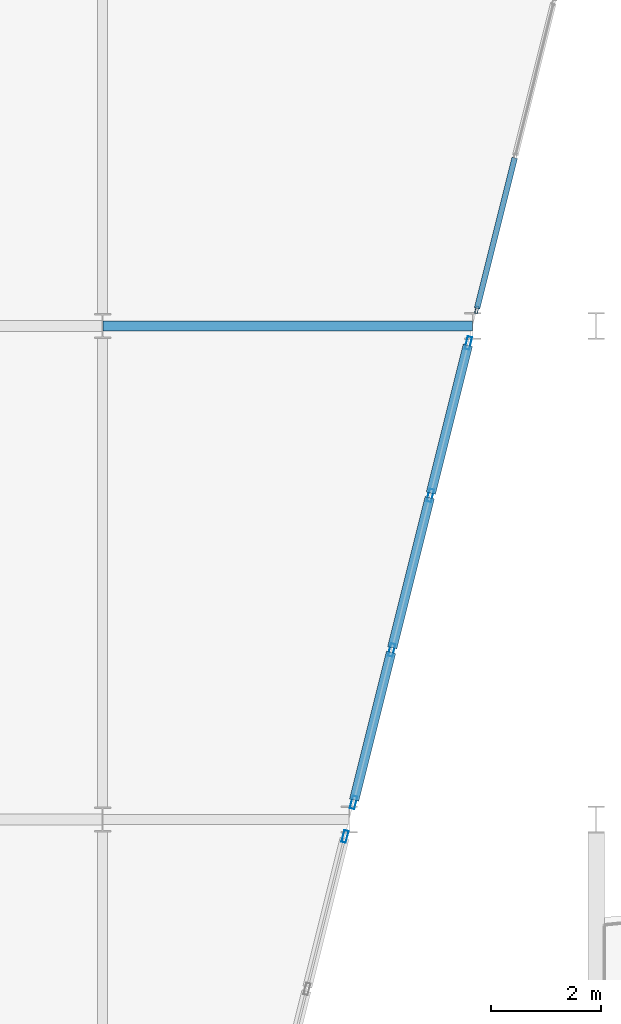
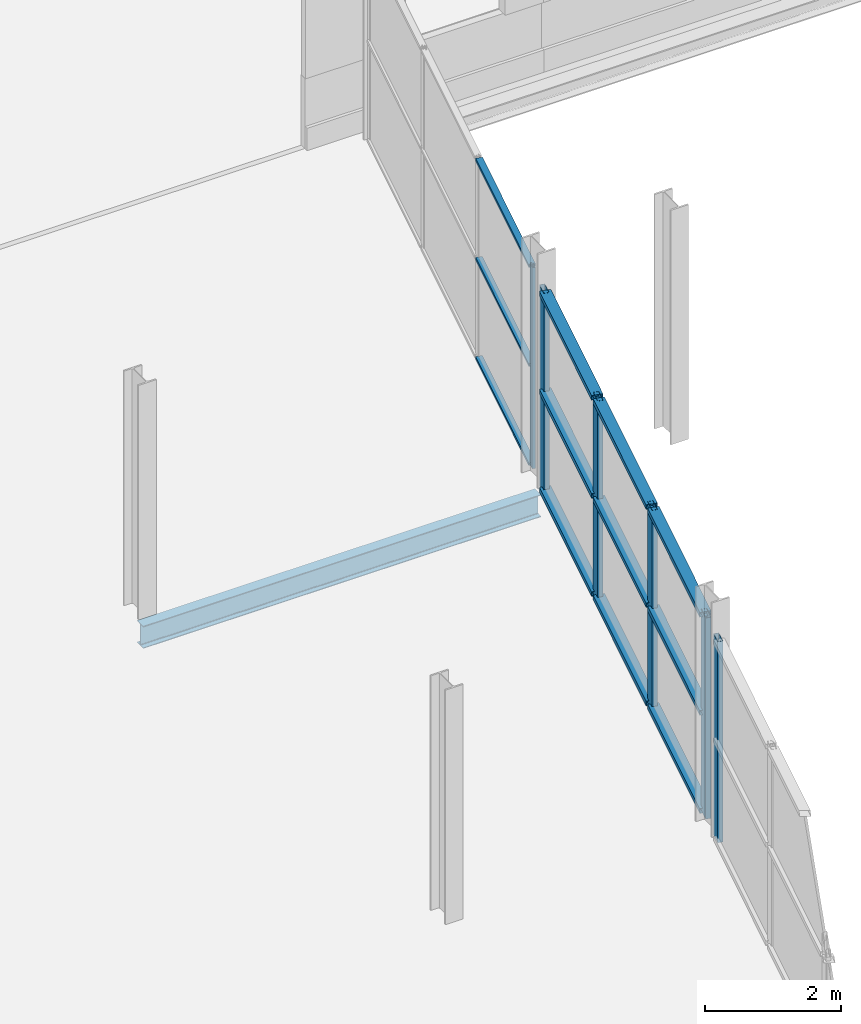
# One storey, part 66 of 135: 18 members, 1 beam, 3 elements without a shape of their own.
"""IFC4 building model written with IfcOpenShell, lengths in metres."""

from ifc_helpers import new_model, si_unit, direction, frame, origin, origin_2d, place, context, subcontext, project, spatial, hollow_rectangle, i_section, extrude, material, layer, layer_set, material_profile, profile_set, type_object, element, aggregate, save


model = new_model("IFC4")

# Units and contexts
model_context = context("Model", 3, precision=1e-05, world=origin(), true_north=direction((0.0, 1.0)))
body_context = subcontext(model_context, "Body", "Model", "MODEL_VIEW")
ifc_project = project(units=[si_unit("LENGTHUNIT", "METRE"), si_unit("AREAUNIT", "SQUARE_METRE"), si_unit("VOLUMEUNIT", "CUBIC_METRE"), si_unit("PLANEANGLEUNIT", "RADIAN"), si_unit("MASSUNIT", "GRAM", prefix="KILO")], contexts=[model_context])

# Site, building, storey
site_placement = place(None, origin())
site = spatial("IfcSite", under=ifc_project, at=site_placement, CompositionType="ELEMENT")
building_placement = place(site_placement, origin())
building = spatial("IfcBuilding", under=site, at=building_placement, Name="Deido Ridge Mobility Hub", CompositionType="ELEMENT")
storey_placement = place(building_placement, frame((0.0, 0.0, 4.199951171875)))
storey = spatial("IfcBuildingStorey", under=building, at=storey_placement, Name="L01", CompositionType="ELEMENT", Elevation=4.199951171875)

# Beam
ifc_material_1 = material(Name="Steel S355J2 EN 10025-2", Category="steel")
ifc_material_profile_1 = material_profile(ifc_material_1, i_section(OverallWidth=0.179931640625, OverallDepth=0.39990234375, WebThickness=0.008544921875, FlangeThickness=0.013427734375, FilletRadius=0.02099609375, at=origin_2d()), Name="IPE 400")
ifc_profile_set_1 = profile_set([ifc_material_profile_1], Name="Steel S355J2 EN 10025-2")
beam_type = type_object("IfcBeamType", Name="BM-IPE400", PredefinedType="BEAM", material=ifc_profile_set_1)
beam_placement = place(storey_placement, frame((45.007080078125, 72.0, -0.449951171875), z_axis=(1.0, 0.0, 0.0), x_axis=(0.0, 1.0, 0.0)))
element("IfcBeam", 1, at=beam_placement, inside=storey, type_object=beam_type, Name="Floor beam B5", PredefinedType="BEAM", context=body_context, shape_type="SweptSolid", body=[
    extrude(i_section(OverallWidth=0.179931640625, OverallDepth=0.39990234375, WebThickness=0.008544921875, FlangeThickness=0.013427734375, FilletRadius=0.02099609375, at=origin_2d()), origin(), (0.0, 0.0, 1.0), 6.73583984375),
])

# Curtain wall, member
ifc_material_2 = material(Name="Anodised aluminium EN AW-6063 T6", Category="aluminium")
ifc_layer_1 = layer(ifc_material_2, 0.27001953125, Name="Anodised aluminium EN AW-6063 T6")
ifc_layer_set_1 = layer_set([ifc_layer_1], Name="Anodised aluminium EN AW-6063 T6")
curtain_wall_type_1 = type_object("IfcCurtainWallType", Name="CW-UF-8", PredefinedType="USERDEFINED", material=ifc_layer_set_1)
curtain_wall_1_placement = place(storey_placement, origin())
curtain_wall_1 = element("IfcCurtainWall", 2, at=curtain_wall_1_placement, inside=storey, type_object=curtain_wall_type_1, Name="Unitised curtain wall CW8", ObjectType="UNITISED FACADE", PredefinedType="USERDEFINED")
ifc_material_profile_2 = material_profile(ifc_material_2, hollow_rectangle(XDim=0.050048828125, YDim=0.1298828125, WallThickness=0.00390625, at=origin_2d()), Name="RHS 50x130x4")
ifc_profile_set_2 = profile_set([ifc_material_profile_2], Name="Anodised aluminium EN AW-6063 T6")
member_type_1 = type_object("IfcMemberType", Name="MEM-MUL-50X130", PredefinedType="MULLION", material=ifc_profile_set_2)
member_1_placement = place(storey_placement, frame((51.82373046875, 72.294921875, 0.0), z_axis=(0.0, 0.0, 1.0), x_axis=(-0.970139801497, 0.242546419373, 0.0)))
member_1 = element("IfcMember", 3, at=member_1_placement, type_object=member_type_1, Name="CW8 mullion 1", PredefinedType="MULLION", context=body_context, shape_type="SweptSolid", body=[
    extrude(hollow_rectangle(XDim=0.050048828125, YDim=0.1298828125, WallThickness=0.00390625, at=origin_2d()), origin(), (0.0, 0.0, 1.0), 3.60009765625),
])

ifc_layer_2 = layer(ifc_material_2, 0.239990234375, Name="Anodised aluminium EN AW-6063 T6")
ifc_layer_set_2 = layer_set([ifc_layer_2], Name="Anodised aluminium EN AW-6063 T6")
curtain_wall_type_2 = type_object("IfcCurtainWallType", Name="CW-UF-6", PredefinedType="USERDEFINED", material=ifc_layer_set_2)
curtain_wall_2_placement = place(storey_placement, origin())
curtain_wall_2 = element("IfcCurtainWall", 4, at=curtain_wall_2_placement, inside=storey, type_object=curtain_wall_type_2, Name="Unitised curtain wall CW6", ObjectType="UNITISED FACADE", PredefinedType="USERDEFINED")
ifc_material_profile_3 = material_profile(ifc_material_2, hollow_rectangle(XDim=0.080078125, YDim=0.219970703125, WallThickness=0.00390625, at=origin_2d()), Name="RHS 80x220x4")
ifc_profile_set_3 = profile_set([ifc_material_profile_3], Name="Anodised aluminium EN AW-6063 T6")
member_type_2 = type_object("IfcMemberType", Name="MEM-MUL-80X220", PredefinedType="MULLION", material=ifc_profile_set_3)
member_2_placement = place(storey_placement, frame((49.422607421875, 62.690673828125, 0.0), z_axis=(0.0, 0.0, 1.0), x_axis=(-0.970139801497, 0.242546419373, 0.0)))
member_2 = element("IfcMember", 5, at=member_2_placement, type_object=member_type_2, Name="CW6 mullion 4", PredefinedType="MULLION", context=body_context, shape_type="SweptSolid", body=[
    extrude(hollow_rectangle(XDim=0.080078125, YDim=0.219970703125, WallThickness=0.00390625, at=origin_2d()), origin(), (0.0, 0.0, 1.0), 3.60009765625),
])
aggregate(curtain_wall_2, [member_2])

# Curtain wall, members
ifc_layer_3 = layer(ifc_material_2, 0.2548828125, Name="Anodised aluminium EN AW-6063 T6")
ifc_layer_set_3 = layer_set([ifc_layer_3], Name="Anodised aluminium EN AW-6063 T6")
curtain_wall_type_3 = type_object("IfcCurtainWallType", Name="CW-UF-7", PredefinedType="USERDEFINED", material=ifc_layer_set_3)
curtain_wall_3_placement = place(storey_placement, origin())
curtain_wall_3 = element("IfcCurtainWall", 6, at=curtain_wall_3_placement, inside=storey, type_object=curtain_wall_type_3, Name="Unitised curtain wall CW7", ObjectType="UNITISED FACADE", PredefinedType="USERDEFINED")
ifc_material_profile_4 = material_profile(ifc_material_2, hollow_rectangle(XDim=0.0849609375, YDim=0.235107421875, WallThickness=0.00390625, at=origin_2d()), Name="RHS 85x235x4")
ifc_profile_set_4 = profile_set([ifc_material_profile_4], Name="Anodised aluminium EN AW-6063 T6")
member_type_3 = type_object("IfcMemberType", Name="MEM-MUL-85X235", PredefinedType="MULLION", material=ifc_profile_set_4)
member_3_placement = place(storey_placement, frame((49.577880859375, 63.311767578125, 0.0), z_axis=(0.0, 0.0, 1.0), x_axis=(-0.970139801497, 0.242546419373, 0.0)))
member_3 = element("IfcMember", 7, at=member_3_placement, type_object=member_type_3, Name="CW7 mullion 1", PredefinedType="MULLION", context=body_context, shape_type="SweptSolid", body=[
    extrude(hollow_rectangle(XDim=0.0849609375, YDim=0.235107421875, WallThickness=0.00390625, at=origin_2d()), origin(), (0.0, 0.0, 1.0), 3.60009765625),
])
member_4_placement = place(storey_placement, frame((50.2724609375, 66.090087890625, 0.0), z_axis=(0.0, 0.0, 1.0), x_axis=(-0.970139801497, 0.242546419373, 0.0)))
member_4 = element("IfcMember", 8, at=member_4_placement, type_object=member_type_3, Name="CW7 mullion 2", PredefinedType="MULLION", context=body_context, shape_type="SweptSolid", body=[
    extrude(hollow_rectangle(XDim=0.0849609375, YDim=0.235107421875, WallThickness=0.00390625, at=origin_2d()), origin(), (0.0, 0.0, 1.0), 3.60009765625),
])
member_5_placement = place(storey_placement, frame((50.9775390625, 68.909912109375, 0.0), z_axis=(0.0, 0.0, 1.0), x_axis=(-0.970139801497, 0.242546419373, 0.0)))
member_5 = element("IfcMember", 9, at=member_5_placement, type_object=member_type_3, Name="CW7 mullion 3", PredefinedType="MULLION", context=body_context, shape_type="SweptSolid", body=[
    extrude(hollow_rectangle(XDim=0.0849609375, YDim=0.235107421875, WallThickness=0.00390625, at=origin_2d()), origin(), (0.0, 0.0, 1.0), 3.60009765625),
])
member_6_placement = place(storey_placement, frame((51.672119140625, 71.688232421875, 0.0), z_axis=(0.0, 0.0, 1.0), x_axis=(-0.970139801497, 0.242546419373, 0.0)))
member_6 = element("IfcMember", 10, at=member_6_placement, type_object=member_type_3, Name="CW7 mullion 4", PredefinedType="MULLION", context=body_context, shape_type="SweptSolid", body=[
    extrude(hollow_rectangle(XDim=0.0849609375, YDim=0.235107421875, WallThickness=0.00390625, at=origin_2d()), origin(), (0.0, 0.0, 1.0), 3.60009765625),
])

# Member
ifc_material_profile_5 = material_profile(ifc_material_2, hollow_rectangle(XDim=0.10498046875, YDim=0.050048828125, WallThickness=0.00390625, at=origin_2d()), Name="RHS 105x50x4")
ifc_profile_set_5 = profile_set([ifc_material_profile_5], Name="Anodised aluminium EN AW-6063 T6")
member_type_4 = type_object("IfcMemberType", Name="MEM-TRN-105X50", PredefinedType="USERDEFINED", material=ifc_profile_set_5)
member_7_placement = place(storey_placement, frame((51.829833984375, 72.319091796875, 0.025146484375), z_axis=(0.242474757328, 0.970157715044, 0.0), x_axis=(-0.970157715044, 0.242474757328, 0.0)))
member_7 = element("IfcMember", 11, at=member_7_placement, type_object=member_type_4, Name="CW8 transom 1.1", ObjectType="TRANSOM", PredefinedType="USERDEFINED", context=body_context, shape_type="SweptSolid", body=[
    extrude(hollow_rectangle(XDim=0.10498046875, YDim=0.050048828125, WallThickness=0.00390625, at=origin_2d()), origin(), (0.0, 0.0, 1.0), 2.831298828125),
])

member_8_placement = place(storey_placement, frame((51.829833984375, 72.319091796875, 1.800048828125), z_axis=(0.242474757328, 0.970157715044, 0.0), x_axis=(-0.970157715044, 0.242474757328, 0.0)))
member_8 = element("IfcMember", 12, at=member_8_placement, type_object=member_type_4, Name="CW8 transom 1.2", ObjectType="TRANSOM", PredefinedType="USERDEFINED", context=body_context, shape_type="SweptSolid", body=[
    extrude(hollow_rectangle(XDim=0.10498046875, YDim=0.050048828125, WallThickness=0.00390625, at=origin_2d()), origin(), (0.0, 0.0, 1.0), 2.831298828125),
])

member_9_placement = place(storey_placement, frame((51.829833984375, 72.319091796875, 3.574951171875), z_axis=(0.242474757328, 0.970157715044, 0.0), x_axis=(-0.970157715044, 0.242474757328, 0.0)))
member_9 = element("IfcMember", 13, at=member_9_placement, type_object=member_type_4, Name="CW8 transom 1.3", ObjectType="TRANSOM", PredefinedType="USERDEFINED", context=body_context, shape_type="SweptSolid", body=[
    extrude(hollow_rectangle(XDim=0.10498046875, YDim=0.050048828125, WallThickness=0.00390625, at=origin_2d()), origin(), (0.0, 0.0, 1.0), 2.831298828125),
])

aggregate(curtain_wall_1, [member_1, member_7, member_8, member_9])

ifc_material_profile_6 = material_profile(ifc_material_2, hollow_rectangle(XDim=0.175048828125, YDim=0.0849609375, WallThickness=0.00390625, at=origin_2d()), Name="RHS 175x85x4")
ifc_profile_set_6 = profile_set([ifc_material_profile_6], Name="Anodised aluminium EN AW-6063 T6")
member_type_5 = type_object("IfcMemberType", Name="MEM-TRN-175X85", PredefinedType="USERDEFINED", material=ifc_profile_set_6)
member_10_placement = place(storey_placement, frame((49.588134765625, 63.35302734375, 0.04248046875), z_axis=(0.242556295778, 0.970137332226, 0.0), x_axis=(-0.970137332226, 0.242556295778, 0.0)))
member_10 = element("IfcMember", 14, at=member_10_placement, type_object=member_type_5, Name="CW7 transom 1.1", ObjectType="TRANSOM", PredefinedType="USERDEFINED", context=body_context, shape_type="SweptSolid", body=[
    extrude(hollow_rectangle(XDim=0.175048828125, YDim=0.0849609375, WallThickness=0.00390625, at=origin_2d()), origin(), (0.0, 0.0, 1.0), 2.779052734375),
])

member_11_placement = place(storey_placement, frame((49.588134765625, 63.35302734375, 1.800048828125), z_axis=(0.242556295778, 0.970137332226, 0.0), x_axis=(-0.970137332226, 0.242556295778, 0.0)))
member_11 = element("IfcMember", 15, at=member_11_placement, type_object=member_type_5, Name="CW7 transom 1.2", ObjectType="TRANSOM", PredefinedType="USERDEFINED", context=body_context, shape_type="SweptSolid", body=[
    extrude(hollow_rectangle(XDim=0.175048828125, YDim=0.0849609375, WallThickness=0.00390625, at=origin_2d()), origin(), (0.0, 0.0, 1.0), 2.779052734375),
])

member_12_placement = place(storey_placement, frame((49.588134765625, 63.35302734375, 3.5576171875), z_axis=(0.242556295778, 0.970137332226, 0.0), x_axis=(-0.970137332226, 0.242556295778, 0.0)))
member_12 = element("IfcMember", 16, at=member_12_placement, type_object=member_type_5, Name="CW7 transom 1.3", ObjectType="TRANSOM", PredefinedType="USERDEFINED", context=body_context, shape_type="SweptSolid", body=[
    extrude(hollow_rectangle(XDim=0.175048828125, YDim=0.0849609375, WallThickness=0.00390625, at=origin_2d()), origin(), (0.0, 0.0, 1.0), 2.779052734375),
])

member_13_placement = place(storey_placement, frame((50.282958984375, 66.13134765625, 0.04248046875), z_axis=(0.242454185147, 0.970162856486, 0.0), x_axis=(-0.970162856486, 0.242454185147, 0.0)))
member_13 = element("IfcMember", 17, at=member_13_placement, type_object=member_type_5, Name="CW7 transom 2.1", ObjectType="TRANSOM", PredefinedType="USERDEFINED", context=body_context, shape_type="SweptSolid", body=[
    extrude(hollow_rectangle(XDim=0.175048828125, YDim=0.0849609375, WallThickness=0.00390625, at=origin_2d()), origin(), (0.0, 0.0, 1.0), 2.821533203125),
])

member_14_placement = place(storey_placement, frame((50.282958984375, 66.13134765625, 1.800048828125), z_axis=(0.242454185147, 0.970162856486, 0.0), x_axis=(-0.970162856486, 0.242454185147, 0.0)))
member_14 = element("IfcMember", 18, at=member_14_placement, type_object=member_type_5, Name="CW7 transom 2.2", ObjectType="TRANSOM", PredefinedType="USERDEFINED", context=body_context, shape_type="SweptSolid", body=[
    extrude(hollow_rectangle(XDim=0.175048828125, YDim=0.0849609375, WallThickness=0.00390625, at=origin_2d()), origin(), (0.0, 0.0, 1.0), 2.821533203125),
])

member_15_placement = place(storey_placement, frame((50.282958984375, 66.13134765625, 3.5576171875), z_axis=(0.242454185147, 0.970162856486, 0.0), x_axis=(-0.970162856486, 0.242454185147, 0.0)))
member_15 = element("IfcMember", 19, at=member_15_placement, type_object=member_type_5, Name="CW7 transom 2.3", ObjectType="TRANSOM", PredefinedType="USERDEFINED", context=body_context, shape_type="SweptSolid", body=[
    extrude(hollow_rectangle(XDim=0.175048828125, YDim=0.0849609375, WallThickness=0.00390625, at=origin_2d()), origin(), (0.0, 0.0, 1.0), 2.821533203125),
])

member_16_placement = place(storey_placement, frame((50.98779296875, 68.950927734375, 0.04248046875), z_axis=(0.242556295778, 0.970137332226, 0.0), x_axis=(-0.970137332226, 0.242556295778, 0.0)))
member_16 = element("IfcMember", 20, at=member_16_placement, type_object=member_type_5, Name="CW7 transom 3.1", ObjectType="TRANSOM", PredefinedType="USERDEFINED", context=body_context, shape_type="SweptSolid", body=[
    extrude(hollow_rectangle(XDim=0.175048828125, YDim=0.0849609375, WallThickness=0.00390625, at=origin_2d()), origin(), (0.0, 0.0, 1.0), 2.779052734375),
])

member_17_placement = place(storey_placement, frame((50.98779296875, 68.950927734375, 1.800048828125), z_axis=(0.242556295778, 0.970137332226, 0.0), x_axis=(-0.970137332226, 0.242556295778, 0.0)))
member_17 = element("IfcMember", 21, at=member_17_placement, type_object=member_type_5, Name="CW7 transom 3.2", ObjectType="TRANSOM", PredefinedType="USERDEFINED", context=body_context, shape_type="SweptSolid", body=[
    extrude(hollow_rectangle(XDim=0.175048828125, YDim=0.0849609375, WallThickness=0.00390625, at=origin_2d()), origin(), (0.0, 0.0, 1.0), 2.779052734375),
])

member_18_placement = place(storey_placement, frame((50.98779296875, 68.950927734375, 3.5576171875), z_axis=(0.242556295778, 0.970137332226, 0.0), x_axis=(-0.970137332226, 0.242556295778, 0.0)))
member_18 = element("IfcMember", 22, at=member_18_placement, type_object=member_type_5, Name="CW7 transom 3.3", ObjectType="TRANSOM", PredefinedType="USERDEFINED", context=body_context, shape_type="SweptSolid", body=[
    extrude(hollow_rectangle(XDim=0.175048828125, YDim=0.0849609375, WallThickness=0.00390625, at=origin_2d()), origin(), (0.0, 0.0, 1.0), 2.779052734375),
])

aggregate(curtain_wall_3, [member_3, member_4, member_5, member_6, member_10, member_11, member_12, member_13, member_14, member_15, member_16, member_17, member_18])

save(model, "model.ifc")
